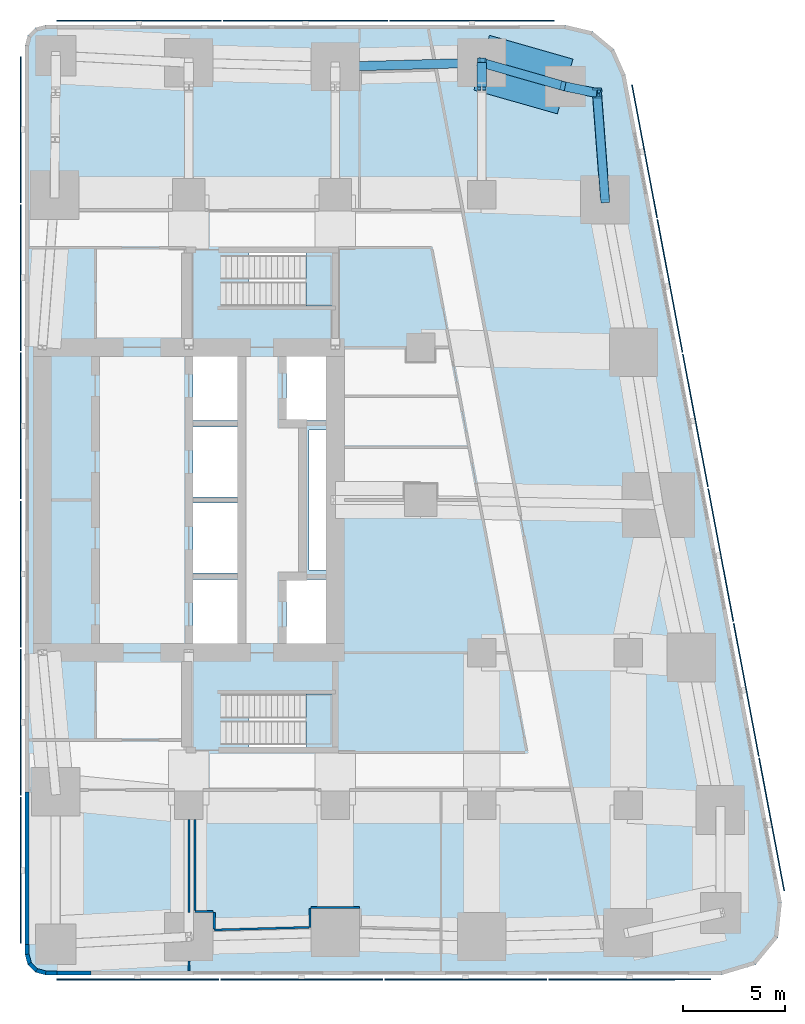
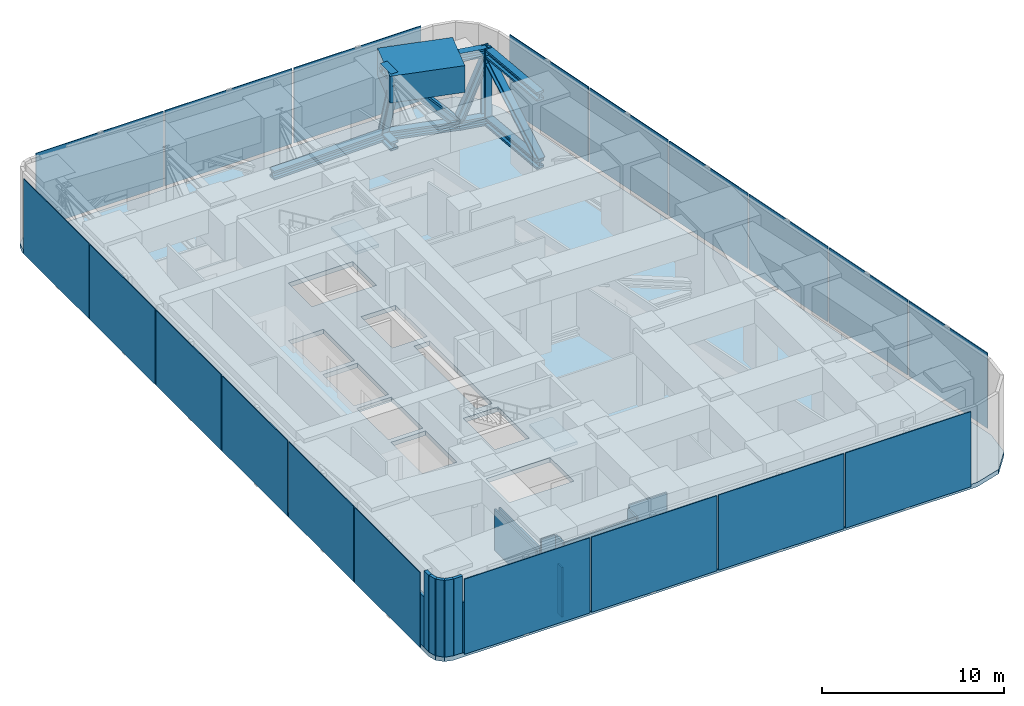
# One storey, part 3 of 9: 19 plates, 15 walls, 13 members, 3 slabs, 1 beam, 2 elements without a shape of their own.
"""IFC4 building model written with IfcOpenShell, lengths in metres."""

import ifcopenshell
import ifcopenshell.guid

model = None  # the IFC model being written
_history = None  # IfcOwnerHistory: only IFC2X3 demands one
_inside = {}  # id of a spatial element -> (the spatial element, [elements in it])
_under = {}  # id of a project, library or spatial element -> (it, [spatial elements below it])
_declared = {}  # id of a project -> (the project, [libraries it declares])
_typed = {}  # id of a type object -> (the type object, [elements of that type])
_made_of = {}  # id of a material, layer set ... -> (it, [elements and type objects made of it])


def new_model(schema):
    """Start an empty IFC model of exactly this schema.

    Asked for "IFC4X3", IfcOpenShell would pick the latest addendum, in which some entities
    have other attributes; the version numbers below select the first issue.
    IFC2X3 requires an IfcOwnerHistory on every rooted entity: one is made here for all.
    """
    global model, _history
    if schema == "IFC4X3":
        model = ifcopenshell.file(schema_version=(4, 3, 0, 0))
    else:
        model = ifcopenshell.file(schema=schema)
    _inside.clear()
    _under.clear()
    _declared.clear()
    _typed.clear()
    _made_of.clear()
    _history = None
    if model.schema == "IFC2X3":
        org = make("IfcOrganization", Name="unknown")
        user = make(
            "IfcPersonAndOrganization",
            ThePerson=make("IfcPerson", FamilyName="unknown"),
            TheOrganization=org,
        )
        app = make(
            "IfcApplication",
            ApplicationDeveloper=org,
            Version="unknown",
            ApplicationFullName="unknown",
            ApplicationIdentifier="unknown",
        )
        _history = make(
            "IfcOwnerHistory",
            OwningUser=user,
            OwningApplication=app,
            ChangeAction="ADDED",
            CreationDate=0,
        )
    return model


def make(cls, **values):
    """One entity of the class cls with the attributes given. An attribute that is None is left unset."""
    return model.create_entity(
        cls, **{name: value for name, value in values.items() if value is not None}
    )


def rooted(cls, **values):
    """An entity with a GlobalId (a new one), such as an element, a storey or a relation."""
    return make(cls, GlobalId=ifcopenshell.guid.new(), OwnerHistory=_history, **values)


def si_unit(unit_type, name, prefix=None):
    """IfcSIUnit, for example si_unit("LENGTHUNIT", "METRE", prefix="MILLI")."""
    return make("IfcSIUnit", UnitType=unit_type, Prefix=prefix, Name=name)


def assignment(units):
    """IfcUnitAssignment: the units of a project."""
    return None if units is None else make("IfcUnitAssignment", Units=units)


def point(xyz):
    """IfcCartesianPoint."""
    return None if xyz is None else make("IfcCartesianPoint", Coordinates=xyz)


def direction(xyz):
    """IfcDirection."""
    return None if xyz is None else make("IfcDirection", DirectionRatios=xyz)


def frame(location, z_axis=None, x_axis=None):
    """IfcAxis2Placement3D, a coordinate frame: its origin and axes. An axis left out is left unset."""
    return make(
        "IfcAxis2Placement3D",
        Location=point(location),
        Axis=direction(z_axis),
        RefDirection=direction(x_axis),
    )


def frame_2d(location, x_axis=None):
    """IfcAxis2Placement2D, a coordinate frame in the plane: its origin and x axis."""
    return make(
        "IfcAxis2Placement2D", Location=point(location), RefDirection=direction(x_axis)
    )


def origin():
    """The frame at (0, 0, 0) with its axes left unset."""
    return frame((0.0, 0.0, 0.0))


def origin_2d():
    """The frame at (0, 0) in the plane with its x axis left unset."""
    return frame_2d((0.0, 0.0))


def place(relative_to, where):
    """IfcLocalPlacement: puts the frame where relative to a parent placement (None: the world)."""
    return make(
        "IfcLocalPlacement", PlacementRelTo=relative_to, RelativePlacement=where
    )


def context(
    kind, dimensions, precision=None, world=None, true_north=None, identifier=None
):
    """IfcGeometricRepresentationContext, for example the 3D "Model" context."""
    return make(
        "IfcGeometricRepresentationContext",
        ContextIdentifier=identifier,
        ContextType=kind,
        CoordinateSpaceDimension=dimensions,
        Precision=precision,
        WorldCoordinateSystem=world,
        TrueNorth=true_north,
    )


def subcontext(parent, identifier, kind, view, scale=None):
    """IfcGeometricRepresentationSubContext, for example "Body" below "Model"."""
    return make(
        "IfcGeometricRepresentationSubContext",
        ContextIdentifier=identifier,
        ContextType=kind,
        ParentContext=parent,
        TargetScale=scale,
        TargetView=view,
    )


def project(units=None, contexts=None):
    """IfcProject with its units and contexts."""
    return rooted(
        "IfcProject",
        Name="project",
        RepresentationContexts=contexts,
        UnitsInContext=assignment(units),
    )


def spatial(cls, under=None, at=None, **own):
    """A site, building, storey or space (cls), placed at a placement, below another one or the project."""
    s = rooted(cls, ObjectPlacement=at, **own)
    if under is not None:
        _under.setdefault(under.id(), (under, []))[1].append(s)
    return s


def polyline(points):
    """IfcPolyline through the points."""
    return make("IfcPolyline", Points=[point(p) for p in points])


def profile(cls, at=None, kind="AREA", **sizes):
    """A parametric profile (cls). Its sizes go by their IFC names, for example OverallWidth=200.0."""
    return make(cls, ProfileType=kind, Position=at, **sizes)


def rectangle(**sizes):
    """IfcRectangleProfileDef."""
    return profile("IfcRectangleProfileDef", **sizes)


def i_section(**sizes):
    """IfcIShapeProfileDef."""
    return profile("IfcIShapeProfileDef", **sizes)


def outline(outer, holes=None, kind="AREA"):
    """IfcArbitraryClosedProfileDef: a profile drawn as a closed curve; with holes, ...WithVoids."""
    if holes is None:
        return make("IfcArbitraryClosedProfileDef", ProfileType=kind, OuterCurve=outer)
    return make(
        "IfcArbitraryProfileDefWithVoids",
        ProfileType=kind,
        OuterCurve=outer,
        InnerCurves=holes,
    )


def extrude(swept, where, along, depth):
    """IfcExtrudedAreaSolid: the profile swept, set in the frame where, extruded along a direction by depth."""
    return make(
        "IfcExtrudedAreaSolid",
        SweptArea=swept,
        Position=where,
        ExtrudedDirection=direction(along),
        Depth=depth,
    )


def shape(context_of_items, identifier, shape_type, items):
    """IfcShapeRepresentation: the items that make up one representation, for example the "Body"."""
    return make(
        "IfcShapeRepresentation",
        ContextOfItems=context_of_items,
        RepresentationIdentifier=identifier,
        RepresentationType=shape_type,
        Items=items,
    )


def material(Name=None, Category=None):
    """IfcMaterial."""
    return make("IfcMaterial", Name=Name, Category=Category)


def layer(
    of_material, thickness, ventilated=None, Name=None, Category=None, Priority=None
):
    """IfcMaterialLayer: one layer of a wall or slab, of a material (None: an air gap)."""
    return make(
        "IfcMaterialLayer",
        Material=of_material,
        LayerThickness=thickness,
        IsVentilated=ventilated,
        Name=Name,
        Category=Category,
        Priority=Priority,
    )


def layer_set(layers, Name=None):
    """IfcMaterialLayerSet."""
    return make("IfcMaterialLayerSet", MaterialLayers=layers, LayerSetName=Name)


def material_profile(
    of_material, cross_section, Name=None, Category=None, Priority=None
):
    """IfcMaterialProfile: a cross section and its material."""
    return make(
        "IfcMaterialProfile",
        Name=Name,
        Material=of_material,
        Profile=cross_section,
        Priority=Priority,
        Category=Category,
    )


def profile_set(profiles, Name=None, composite=None):
    """IfcMaterialProfileSet."""
    return make(
        "IfcMaterialProfileSet",
        Name=Name,
        MaterialProfiles=profiles,
        CompositeProfile=composite,
    )


def made_of(thing, what):
    """Note that an element or type object is made of a material, layer set ...; save() writes the relation."""
    if what is not None:
        _made_of.setdefault(what.id(), (what, []))[1].append(thing)
    return thing


def type_object(cls, material=None, **own):
    """A type object (cls), such as IfcWallType, which elements share."""
    return made_of(rooted(cls, **own), material)


def element(
    cls,
    number,
    at=None,
    inside=None,
    cuts=None,
    type_object=None,
    material=None,
    context=None,
    identifier="Body",
    shape_type=None,
    held_by="IfcProductDefinitionShape",
    body=None,
    shapes=None,
    **own,
):
    """One element of the class cls, such as IfcWall. Its Tag is "e" and its number.

    at: its placement. inside: the storey or other place that contains it. cuts: it is an
    opening in that element (IfcRelVoidsElement). A single representation is given by context,
    identifier, shape_type and body (its items); several are given by shapes. held_by: the class
    of the entity that holds the representations. save() writes the other relations.
    """
    e = rooted(cls, Tag="e%d" % number, ObjectPlacement=at, **own)
    if body is not None:
        shapes = [shape(context, identifier, shape_type, body)]
    if shapes is not None:
        e.Representation = make(held_by, Representations=shapes)
    if inside is not None:
        _inside.setdefault(inside.id(), (inside, []))[1].append(e)
    if cuts is not None:
        rooted(
            "IfcRelVoidsElement", RelatingBuildingElement=cuts, RelatedOpeningElement=e
        )
    if type_object is not None:
        _typed.setdefault(type_object.id(), (type_object, []))[1].append(e)
    return made_of(e, material)


def aggregate(whole, parts):
    """IfcRelAggregates: a whole, such as a stair, and the parts it consists of."""
    return rooted("IfcRelAggregates", RelatingObject=whole, RelatedObjects=parts)


def save(model, path):
    """Write the relations noted so far, then the file.

    IfcRelAggregates (storeys below a building ...), IfcRelContainedInSpatialStructure (elements
    in a storey), IfcRelDefinesByType, IfcRelAssociatesMaterial and IfcRelDeclares: one each for
    every whole, place, type object, material and project.
    """
    for whole, parts in _under.values():
        aggregate(whole, parts)
    for where, things in _inside.values():
        rooted(
            "IfcRelContainedInSpatialStructure",
            RelatedElements=things,
            RelatingStructure=where,
        )
    for kind, things in _typed.values():
        rooted("IfcRelDefinesByType", RelatedObjects=things, RelatingType=kind)
    for what, things in _made_of.values():
        rooted("IfcRelAssociatesMaterial", RelatedObjects=things, RelatingMaterial=what)
    for by, libraries in _declared.values():
        rooted("IfcRelDeclares", RelatingContext=by, RelatedDefinitions=libraries)
    model.write(path)


model = new_model("IFC4")

# Units and contexts
model_context = context("Model", 3, precision=1e-05, world=origin(), true_north=direction((0.0, 1.0)))
body_context = subcontext(model_context, "Body", "Model", "MODEL_VIEW")
ifc_project = project(units=[si_unit("LENGTHUNIT", "METRE"), si_unit("AREAUNIT", "SQUARE_METRE"), si_unit("VOLUMEUNIT", "CUBIC_METRE"), si_unit("PLANEANGLEUNIT", "RADIAN"), si_unit("MASSUNIT", "GRAM", prefix="KILO")], contexts=[model_context])

# Site, building, storey
site_placement = place(None, origin())
site = spatial("IfcSite", under=ifc_project, at=site_placement, CompositionType="ELEMENT")
building_placement = place(site_placement, origin())
building = spatial("IfcBuilding", under=site, at=building_placement, Name="Sheger Commons Tower", CompositionType="ELEMENT")
storey_placement = place(building_placement, frame((0.0, 0.0, 246.199951171875)))
storey = spatial("IfcBuildingStorey", under=building, at=storey_placement, Name="L63", CompositionType="ELEMENT", Elevation=246.199951171875)

# Members
ifc_material_1 = material(Name="Steel S460", Category="steel")
ifc_material_profile_1 = material_profile(ifc_material_1, i_section(OverallWidth=0.424072265625, OverallDepth=0.47412109375, WebThickness=0.047607421875, FlangeThickness=0.0771484375, at=origin_2d()), Name="HD 400x634")
ifc_profile_set_1 = profile_set([ifc_material_profile_1], Name="Steel S460")
member_type_1 = type_object("IfcMemberType", Name="BRACE HD 400x634", PredefinedType="BRACE", material=ifc_profile_set_1)
member_1_placement = place(storey_placement, frame((36.0, 44.0, 0.569091796875), z_axis=(0.0, -0.286550823558, 0.958065042426), x_axis=(1.0, 0.0, 0.0)))
element("IfcMember", 1, at=member_1_placement, inside=storey, type_object=member_type_1, Name="Truss 6 diagonal", PredefinedType="BRACE", context=body_context, shape_type="SweptSolid", body=[
    extrude(i_section(OverallWidth=0.424072265625, OverallDepth=0.47412109375, WebThickness=0.047607421875, FlangeThickness=0.0771484375, at=origin_2d()), origin(), (0.0, 0.0, 1.0), 4.1875),
])
member_2_placement = place(storey_placement, frame((42.06396484375, 37.262939453125, 0.569091796875), z_axis=(-0.06002060097, 0.792744419702, 0.606591965402), x_axis=(-0.997146078447, -0.075496345854, 0.0)))
element("IfcMember", 2, at=member_2_placement, inside=storey, type_object=member_type_1, Name="East truss diagonal", PredefinedType="BRACE", context=body_context, shape_type="SweptSolid", body=[
    extrude(i_section(OverallWidth=0.424072265625, OverallDepth=0.47412109375, WebThickness=0.047607421875, FlangeThickness=0.0771484375, at=origin_2d()), origin(), (0.0, 0.0, 1.0), 6.614013671875),
])
member_3_placement = place(storey_placement, frame((40.10205078125, 42.830078125, 0.569091796875), z_axis=(0.362376845716, -0.07501935636, 0.929007598387), x_axis=(0.202721789131, 0.979236374024, 0.0)))
element("IfcMember", 3, at=member_3_placement, inside=storey, type_object=member_type_1, Name="East truss diagonal", PredefinedType="BRACE", context=body_context, shape_type="SweptSolid", body=[
    extrude(i_section(OverallWidth=0.424072265625, OverallDepth=0.47412109375, WebThickness=0.047607421875, FlangeThickness=0.0771484375, at=origin_2d()), origin(), (0.0, 0.0, 1.0), 4.318603515625),
])
ifc_material_2 = material(Name="Steel S460", Category="steel")
ifc_material_profile_2 = material_profile(ifc_material_2, i_section(OverallWidth=0.44189453125, OverallDepth=0.531005859375, WebThickness=0.06591796875, FlangeThickness=0.10595703125, at=origin_2d()), Name="HD 400x900")
ifc_profile_set_2 = profile_set([ifc_material_profile_2], Name="Steel S460")
member_type_2 = type_object("IfcMemberType", Name="BRACE HD 400x900", PredefinedType="BRACE", material=ifc_profile_set_2)
member_4_placement = place(storey_placement, frame((40.10205078125, 42.830078125, 0.300048828125), z_axis=(-0.657710393497, 0.187581728701, 0.729541042947), x_axis=(-0.274267541221, -0.961653428129, 0.0)))
element("IfcMember", 4, at=member_4_placement, inside=storey, type_object=member_type_2, Name="Belt truss diagonal 40.102,42.830-36.000,44.000", PredefinedType="BRACE", context=body_context, shape_type="SweptSolid", body=[
    extrude(i_section(OverallWidth=0.44189453125, OverallDepth=0.531005859375, WebThickness=0.06591796875, FlangeThickness=0.10595703125, at=origin_2d()), origin(), (0.0, 0.0, 1.0), 6.23681640625),
])
ifc_material_3 = material(Name="Steel S460", Category="steel")
ifc_material_profile_3 = material_profile(ifc_material_3, i_section(OverallWidth=0.4541015625, OverallDepth=0.569091796875, WebThickness=0.077880859375, FlangeThickness=0.125, at=origin_2d()), Name="HD 400x1086")
ifc_profile_set_3 = profile_set([ifc_material_profile_3], Name="Steel S460")
member_type_3 = type_object("IfcMemberType", Name="CHORD HD 400x1086", PredefinedType="CHORD", material=ifc_profile_set_3)
member_5_placement = place(storey_placement, frame((40.10205078125, 42.830078125, 0.300048828125), z_axis=(-0.961653428129, 0.274267541221, 0.0), x_axis=(-0.274267541221, -0.961653428129, 0.0)))
element("IfcMember", 5, at=member_5_placement, inside=storey, type_object=member_type_3, Name="Belt truss bottom chord 40.102,42.830-36.000,44.000", PredefinedType="CHORD", context=body_context, shape_type="SweptSolid", body=[
    extrude(i_section(OverallWidth=0.4541015625, OverallDepth=0.569091796875, WebThickness=0.077880859375, FlangeThickness=0.125, at=origin_2d()), origin(), (0.0, 0.0, 1.0), 4.265625),
])
member_6_placement = place(storey_placement, frame((36.0, 44.0, 0.300048828125), z_axis=(-0.999614603568, -0.027760481514, 0.0), x_axis=(0.027760481514, -0.999614603568, 0.0)))
element("IfcMember", 6, at=member_6_placement, inside=storey, type_object=member_type_3, Name="Belt truss bottom chord 36.000,44.000-28.800,43.800", PredefinedType="CHORD", context=body_context, shape_type="SweptSolid", body=[
    extrude(i_section(OverallWidth=0.4541015625, OverallDepth=0.569091796875, WebThickness=0.077880859375, FlangeThickness=0.125, at=origin_2d()), origin(), (0.0, 0.0, 1.0), 7.20263671875),
])
for number, where, z_axis, x_axis, name in (
    (7, (36.0, 42.800048828125, 0.28466796875), (0.0, 1.0, 0.0), (-1.0, 0.0, 0.0), "Truss 6 bottom chord"),
    (8, (36.0, 42.800048828125, 4.865478515625), (0.0, 1.0, 0.0), (-1.0, 0.0, 0.0), "Truss 6 top chord"),
):
    element("IfcMember", number, at=place(storey_placement, frame(where, z_axis=z_axis, x_axis=x_axis)), inside=storey, type_object=member_type_3, Name=name, PredefinedType="CHORD", context=body_context, shape_type="SweptSolid", body=[
        extrude(i_section(OverallWidth=0.4541015625, OverallDepth=0.569091796875, WebThickness=0.077880859375, FlangeThickness=0.125, at=origin_2d()), origin(), (0.0, 0.0, 1.0), 1.199951171875),
    ])
member_7_placement = place(storey_placement, frame((42.06396484375, 37.262939453125, 4.865478515625), z_axis=(-0.075496345854, 0.997146078447, 0.0), x_axis=(-0.997146078447, -0.075496345854, 0.0)))
element("IfcMember", 9, at=member_7_placement, inside=storey, type_object=member_type_3, Name="East truss top chord", PredefinedType="CHORD", context=body_context, shape_type="SweptSolid", body=[
    extrude(i_section(OverallWidth=0.4541015625, OverallDepth=0.569091796875, WebThickness=0.077880859375, FlangeThickness=0.125, at=origin_2d()), origin(), (0.0, 0.0, 1.0), 5.258056640625),
])
member_8_placement = place(storey_placement, frame((41.6669921875, 42.506103515625, 4.865478515625), z_axis=(-0.979236374024, 0.202721789131, 0.0), x_axis=(-0.202721789131, -0.979236374024, 0.0)))
element("IfcMember", 10, at=member_8_placement, inside=storey, type_object=member_type_3, Name="East truss top chord", PredefinedType="CHORD", context=body_context, shape_type="SweptSolid", body=[
    extrude(i_section(OverallWidth=0.4541015625, OverallDepth=0.569091796875, WebThickness=0.077880859375, FlangeThickness=0.125, at=origin_2d()), origin(), (0.0, 0.0, 1.0), 1.59814453125),
])
member_9_placement = place(storey_placement, frame((42.06396484375, 37.262939453125, 0.28466796875), z_axis=(-0.075496345854, 0.997146078447, 0.0), x_axis=(-0.997146078447, -0.075496345854, 0.0)))
element("IfcMember", 11, at=member_9_placement, inside=storey, type_object=member_type_3, Name="East truss bottom chord", PredefinedType="CHORD", context=body_context, shape_type="SweptSolid", body=[
    extrude(i_section(OverallWidth=0.4541015625, OverallDepth=0.569091796875, WebThickness=0.077880859375, FlangeThickness=0.125, at=origin_2d()), origin(), (0.0, 0.0, 1.0), 5.258056640625),
])
member_10_placement = place(storey_placement, frame((41.6669921875, 42.506103515625, 0.28466796875), z_axis=(-0.979236374024, 0.202721789131, 0.0), x_axis=(-0.202721789131, -0.979236374024, 0.0)))
element("IfcMember", 12, at=member_10_placement, inside=storey, type_object=member_type_3, Name="East truss bottom chord", PredefinedType="CHORD", context=body_context, shape_type="SweptSolid", body=[
    extrude(i_section(OverallWidth=0.4541015625, OverallDepth=0.569091796875, WebThickness=0.077880859375, FlangeThickness=0.125, at=origin_2d()), origin(), (0.0, 0.0, 1.0), 1.59814453125),
])
ifc_material_4 = material(Name="Steel S460", Category="steel")
ifc_material_profile_4 = material_profile(ifc_material_4, i_section(OverallWidth=0.431884765625, OverallDepth=0.498046875, WebThickness=0.0556640625, FlangeThickness=0.0888671875, at=origin_2d()), Name="HD 400x744")
ifc_profile_set_4 = profile_set([ifc_material_profile_4], Name="Steel S460")
member_type_4 = type_object("IfcMemberType", Name="POST HD 400x744", PredefinedType="POST", material=ifc_profile_set_4)
member_11_placement = place(storey_placement, frame((41.6669921875, 42.506103515625, 0.569091796875), z_axis=(0.0, 0.0, 1.0), x_axis=(1.0, 0.0, 0.0)))
element("IfcMember", 13, at=member_11_placement, inside=storey, type_object=member_type_4, Name="East truss post", PredefinedType="POST", context=body_context, shape_type="SweptSolid", body=[
    extrude(i_section(OverallWidth=0.431884765625, OverallDepth=0.498046875, WebThickness=0.0556640625, FlangeThickness=0.0888671875, at=origin_2d()), origin(), (0.0, 0.0, 1.0), 4.5810546875),
])

# Beam
ifc_material_5 = material(Name="Concrete C50/60", Category="concrete")
ifc_material_profile_5 = material_profile(ifc_material_5, rectangle(XDim=2.800048828125, YDim=1.800048828125, at=origin_2d()), Name="RC 2800x1800")
ifc_profile_set_5 = profile_set([ifc_material_profile_5], Name="Concrete C50/60")
beam_type = type_object("IfcBeamType", Name="SPANDREL RC 2800x1800", PredefinedType="SPANDREL", material=ifc_profile_set_5)
beam_placement = place(storey_placement, frame((40.10205078125, 42.830078125, 4.25), z_axis=(-0.961653428129, 0.274267541221, 0.0), x_axis=(-0.274267541221, -0.961653428129, 0.0)))
element("IfcBeam", 14, at=beam_placement, inside=storey, type_object=beam_type, Name="Beam 41.490,44.505-6/G under L64", PredefinedType="SPANDREL", context=body_context, shape_type="SweptSolid", body=[
    extrude(rectangle(XDim=2.800048828125, YDim=1.800048828125, at=origin_2d()), origin(), (0.0, 0.0, 1.0), 4.265625),
])

# Slab
ifc_material_6 = material(Name="Concrete C35/45", Category="concrete")
ifc_layer_1 = layer(ifc_material_6, 0.300048828125)
ifc_layer_set_1 = layer_set([ifc_layer_1], Name="SLAB FLOOR 300")
slab_type_1 = type_object("IfcSlabType", Name="SLAB FLOOR 300", PredefinedType="FLOOR", material=ifc_layer_set_1)
slab_1_placement = place(storey_placement, frame((0.0, 0.0, -0.300048828125)))
element("IfcSlab", 15, at=slab_1_placement, inside=storey, type_object=slab_type_1, Name="L63 floor slab", PredefinedType="FLOOR", context=body_context, shape_type="SweptSolid", body=[
    extrude(outline(polyline([(13.550048828125, 0.14990234375), (13.68408203125, -0.35009765625), (14.050048828125, -0.716064453125), (14.550048828125, -0.85009765625), (47.805908203125, -0.85009765625), (49.465087890625, -0.35009765625), (50.570068359375, 0.98388671875), (50.75390625, 2.70703125), (43.06591796875, 43.406982421875), (42.509033203125, 44.660888671875), (41.452880859375, 45.535888671875), (40.117919921875, 45.85009765625), (14.550048828125, 45.85009765625), (14.050048828125, 45.716064453125), (13.68408203125, 45.35009765625), (13.550048828125, 44.85009765625), (13.550048828125, 0.14990234375)]), holes=[polyline([(24.550048828125, 10.35009765625), (28.64990234375, 10.35009765625), (28.64990234375, 12.949951171875), (24.551025390625, 12.949951171875), (24.551025390625, 11.75), (24.550048828125, 11.75), (24.550048828125, 10.35009765625)]), polyline([(24.551025390625, 32.050048828125), (28.64990234375, 32.050048828125), (28.64990234375, 34.64990234375), (24.550048828125, 34.64990234375), (24.550048828125, 33.25), (24.551025390625, 33.25), (24.551025390625, 32.050048828125)]), polyline([(26.39990234375, 15.14990234375), (28.60009765625, 15.14990234375), (28.60009765625, 18.60009765625), (26.39990234375, 18.60009765625), (26.39990234375, 15.14990234375)]), polyline([(26.39990234375, 26.39990234375), (28.60009765625, 26.39990234375), (28.60009765625, 29.85009765625), (26.39990234375, 29.85009765625), (26.39990234375, 26.39990234375)]), polyline([(21.800048828125, 15.14990234375), (24.0, 15.14990234375), (24.0, 18.60009765625), (21.800048828125, 18.60009765625), (21.800048828125, 15.14990234375)]), polyline([(21.800048828125, 18.89990234375), (24.0, 18.89990234375), (24.0, 22.35009765625), (21.800048828125, 22.35009765625), (21.800048828125, 18.89990234375)]), polyline([(21.800048828125, 22.64990234375), (24.0, 22.64990234375), (24.0, 26.10009765625), (21.800048828125, 26.10009765625), (21.800048828125, 22.64990234375)]), polyline([(21.800048828125, 26.39990234375), (24.0, 26.39990234375), (24.0, 29.85009765625), (21.800048828125, 29.85009765625), (21.800048828125, 26.39990234375)]), polyline([(27.5, 19.050048828125), (28.5, 19.050048828125), (28.5, 25.949951171875), (27.5, 25.949951171875), (27.5, 19.050048828125)])]), origin(), (0.0, 0.0, 1.0), 0.300048828125),
])

# Plates
ifc_material_7 = material(Name="Perforated black anodised aluminium screen", Category="aluminium")
ifc_layer_2 = layer(ifc_material_7, 0.050048828125)
ifc_layer_set_2 = layer_set([ifc_layer_2], Name="SOLAR SCREEN SCREEN-1")
plate_type = type_object("IfcPlateType", Name="SOLAR SCREEN SCREEN-1", PredefinedType="USERDEFINED", material=ifc_layer_set_2)
for number, where, z_axis, x_axis, name in (
    (16, (19.08203125, -1.074951171875, 0.0498046875), (0.0, 0.0, 1.0), (1.0, 0.0, 0.0), "Perforated solar screen panel"),
    (17, (27.14599609375, -1.074951171875, 0.0498046875), (0.0, 0.0, 1.0), (1.0, 0.0, 0.0), "Perforated solar screen panel"),
    (18, (35.2099609375, -1.074951171875, 0.0498046875), (0.0, 0.0, 1.0), (1.0, 0.0, 0.0), "Perforated solar screen panel"),
    (19, (43.27392578125, -1.074951171875, 0.0498046875), (0.0, 0.0, 1.0), (1.0, 0.0, 0.0), "Perforated solar screen panel"),
):
    element("IfcPlate", number, at=place(storey_placement, frame(where, z_axis=z_axis, x_axis=x_axis)), inside=storey, type_object=plate_type, Name=name, ObjectType="SCREEN", PredefinedType="USERDEFINED", context=body_context, shape_type="SweptSolid", body=[
        extrude(rectangle(XDim=7.964111328125, YDim=0.050048828125, at=origin_2d()), origin(), (0.0, 0.0, 1.0), 5.050048828125),
    ])
for number, where, z_axis, x_axis, name in (
    (20, (50.257080078125, 6.550048828125, 0.0498046875), (0.0, 0.0, 1.0), (-0.185615165645, 0.982622516678, 0.0), "Perforated solar screen panel"),
    (21, (49.007080078125, 13.1689453125, 0.0498046875), (0.0, 0.0, 1.0), (-0.185615165645, 0.982622516678, 0.0), "Perforated solar screen panel"),
    (22, (47.756103515625, 19.7890625, 0.0498046875), (0.0, 0.0, 1.0), (-0.185615165645, 0.982622516678, 0.0), "Perforated solar screen panel"),
    (23, (46.506103515625, 26.408935546875, 0.0498046875), (0.0, 0.0, 1.0), (-0.185615165645, 0.982622516678, 0.0), "Perforated solar screen panel"),
    (24, (45.2548828125, 33.028076171875, 0.0498046875), (0.0, 0.0, 1.0), (-0.185615165645, 0.982622516678, 0.0), "Perforated solar screen panel"),
    (25, (44.0048828125, 39.64794921875, 0.0498046875), (0.0, 0.0, 1.0), (-0.185615165645, 0.982622516678, 0.0), "Perforated solar screen panel"),
):
    element("IfcPlate", number, at=place(storey_placement, frame(where, z_axis=z_axis, x_axis=x_axis)), inside=storey, type_object=plate_type, Name=name, ObjectType="SCREEN", PredefinedType="USERDEFINED", context=body_context, shape_type="SweptSolid", body=[
        extrude(rectangle(XDim=6.636962890625, YDim=0.050048828125, at=origin_2d()), origin(), (0.0, 0.0, 1.0), 5.050048828125),
    ])
for number, where, z_axis, x_axis, name in (
    (26, (35.52294921875, 46.074951171875, 0.0498046875), (0.0, 0.0, 1.0), (-1.0, 0.0, 0.0), "Perforated solar screen panel"),
    (27, (27.333984375, 46.074951171875, 0.0498046875), (0.0, 0.0, 1.0), (-1.0, 0.0, 0.0), "Perforated solar screen panel"),
    (28, (19.14501953125, 46.074951171875, 0.0498046875), (0.0, 0.0, 1.0), (-1.0, 0.0, 0.0), "Perforated solar screen panel"),
):
    element("IfcPlate", number, at=place(storey_placement, frame(where, z_axis=z_axis, x_axis=x_axis)), inside=storey, type_object=plate_type, Name=name, ObjectType="SCREEN", PredefinedType="USERDEFINED", context=body_context, shape_type="SweptSolid", body=[
        extrude(rectangle(XDim=8.089111328125, YDim=0.050048828125, at=origin_2d()), origin(), (0.0, 0.0, 1.0), 5.050048828125),
    ])
for number, where, z_axis, x_axis, name in (
    (29, (13.324951171875, 40.7080078125, 0.0498046875), (0.0, 0.0, 1.0), (0.0, -1.0, 0.0), "Perforated solar screen panel"),
    (30, (13.324951171875, 33.425048828125, 0.0498046875), (0.0, 0.0, 1.0), (0.0, -1.0, 0.0), "Perforated solar screen panel"),
    (31, (13.324951171875, 26.14208984375, 0.0498046875), (0.0, 0.0, 1.0), (0.0, -1.0, 0.0), "Perforated solar screen panel"),
    (32, (13.324951171875, 18.85791015625, 0.0498046875), (0.0, 0.0, 1.0), (0.0, -1.0, 0.0), "Perforated solar screen panel"),
    (33, (13.324951171875, 11.574951171875, 0.0498046875), (0.0, 0.0, 1.0), (0.0, -1.0, 0.0), "Perforated solar screen panel"),
    (34, (13.324951171875, 4.2919921875, 0.0498046875), (0.0, 0.0, 1.0), (0.0, -1.0, 0.0), "Perforated solar screen panel"),
):
    element("IfcPlate", number, at=place(storey_placement, frame(where, z_axis=z_axis, x_axis=x_axis)), inside=storey, type_object=plate_type, Name=name, ObjectType="SCREEN", PredefinedType="USERDEFINED", context=body_context, shape_type="SweptSolid", body=[
        extrude(rectangle(XDim=7.18310546875, YDim=0.050048828125, at=origin_2d()), origin(), (0.0, 0.0, 1.0), 5.050048828125),
    ])

# Stair, slab
ifc_material_8 = material(Name="Concrete C35/45", Category="concrete")
stair_type = type_object("IfcStairType", Name="HALF-TURN STAIR 1200 RISE 5400", PredefinedType="HALF_TURN_STAIR", material=ifc_material_8)
stair_1_placement = place(storey_placement, origin())
stair_1 = element("IfcStair", 35, at=stair_1_placement, inside=storey, type_object=stair_type, Name="Stair S1 L63", PredefinedType="HALF_TURN_STAIR")
ifc_material_9 = material(Name="Concrete C35/45", Category="concrete")
ifc_layer_3 = layer(ifc_material_9, 0.199951171875)
ifc_layer_set_3 = layer_set([ifc_layer_3], Name="STAIR LANDING 200")
slab_type_2 = type_object("IfcSlabType", Name="STAIR LANDING 200", PredefinedType="LANDING", material=ifc_layer_set_3)
slab_2_placement = place(storey_placement, frame((0.0, 0.0, 2.5)))
slab_2 = element("IfcSlab", 36, at=slab_2_placement, type_object=slab_type_2, Name="S1 landing 1", PredefinedType="LANDING", context=body_context, shape_type="SweptSolid", body=[
    extrude(outline(polyline([(27.35009765625, 10.199951171875), (28.800048828125, 10.199951171875), (28.800048828125, 12.949951171875), (27.35009765625, 12.949951171875), (27.35009765625, 10.199951171875)])), origin(), (0.0, 0.0, 1.0), 0.199951171875),
])
aggregate(stair_1, [slab_2])

stair_2_placement = place(storey_placement, origin())
stair_2 = element("IfcStair", 37, at=stair_2_placement, inside=storey, type_object=stair_type, Name="Stair S2 L63", PredefinedType="HALF_TURN_STAIR")
slab_3_placement = place(storey_placement, frame((0.0, 0.0, 2.5)))
slab_3 = element("IfcSlab", 38, at=slab_3_placement, type_object=slab_type_2, Name="S2 landing 1", PredefinedType="LANDING", context=body_context, shape_type="SweptSolid", body=[
    extrude(outline(polyline([(27.35009765625, 32.050048828125), (28.800048828125, 32.050048828125), (28.800048828125, 34.800048828125), (27.35009765625, 34.800048828125), (27.35009765625, 32.050048828125)])), origin(), (0.0, 0.0, 1.0), 0.199951171875),
])
aggregate(stair_2, [slab_3])

# Walls
ifc_material_10 = material(Name="Rendered concrete block masonry, dark grey", Category="masonry")
ifc_layer_4 = layer(ifc_material_10, 0.199951171875)
ifc_layer_set_4 = layer_set([ifc_layer_4], Name="FACADE WALL 200")
wall_type_1 = type_object("IfcWallType", Name="FACADE WALL 200", PredefinedType="SOLIDWALL", material=ifc_layer_set_4)
wall_1_placement = place(storey_placement, frame((14.56298828125, -0.75, 0.0), z_axis=(0.0, 0.0, 1.0), x_axis=(1.0, 0.0, 0.0)))
element("IfcWall", 39, at=wall_1_placement, inside=storey, type_object=wall_type_1, Name="Facade wall L63", PredefinedType="SOLIDWALL", context=body_context, shape_type="SweptSolid", body=[
    extrude(rectangle(XDim=0.56494140625, YDim=0.199951171875, at=frame_2d((0.282470703125, 0.0))), origin(), (0.0, 0.0, 1.0), 5.150146484375),
])
wall_2_placement = place(storey_placement, frame((15.1279296875, -0.75, 0.0), z_axis=(0.0, 0.0, 1.0), x_axis=(1.0, 0.0, 0.0)))
element("IfcWall", 40, at=wall_2_placement, inside=storey, type_object=wall_type_1, Name="Facade wall L63", PredefinedType="SOLIDWALL", context=body_context, shape_type="SweptSolid", body=[
    extrude(rectangle(XDim=1.6591796875, YDim=0.199951171875, at=frame_2d((0.82958984375, 0.0))), origin(), (0.0, 0.0, 1.0), 3.35009765625),
])
wall_3_placement = place(storey_placement, frame((13.64990234375, 8.154052734375, 0.0), z_axis=(0.0, 0.0, 1.0), x_axis=(0.0, -1.0, 0.0)))
element("IfcWall", 41, at=wall_3_placement, inside=storey, type_object=wall_type_1, Name="Facade wall L63", PredefinedType="SOLIDWALL", context=body_context, shape_type="SweptSolid", body=[
    extrude(rectangle(XDim=7.5, YDim=0.199951171875, at=frame_2d((3.75, 0.0))), origin(), (0.0, 0.0, 1.0), 3.35009765625),
])
wall_4_placement = place(storey_placement, frame((13.64990234375, 0.654052734375, 0.0), z_axis=(0.0, 0.0, 1.0), x_axis=(0.0, -1.0, 0.0)))
element("IfcWall", 42, at=wall_4_placement, inside=storey, type_object=wall_type_1, Name="Facade wall L63", PredefinedType="SOLIDWALL", context=body_context, shape_type="SweptSolid", body=[
    extrude(rectangle(XDim=0.490966796875, YDim=0.199951171875, at=frame_2d((0.24560546875, 0.0))), origin(), (0.0, 0.0, 1.0), 5.150146484375),
])
wall_5_placement = place(storey_placement, frame((13.64990234375, 0.1630859375, 0.0), z_axis=(0.0, 0.0, 1.0), x_axis=(0.259698463175, -0.965689757751, 0.0)))
element("IfcWall", 43, at=wall_5_placement, inside=storey, type_object=wall_type_1, Name="Facade wall L63", PredefinedType="SOLIDWALL", context=body_context, shape_type="SweptSolid", body=[
    extrude(rectangle(XDim=0.4775390625, YDim=0.199951171875, at=frame_2d((0.23876953125, 0.0))), origin(), (0.0, 0.0, 1.0), 5.150146484375),
])
wall_6_placement = place(storey_placement, frame((13.77392578125, -0.298095703125, 0.0), z_axis=(0.0, 0.0, 1.0), x_axis=(0.707369890659, -0.706843573776, 0.0)))
element("IfcWall", 44, at=wall_6_placement, inside=storey, type_object=wall_type_1, Name="Facade wall L63", PredefinedType="SOLIDWALL", context=body_context, shape_type="SweptSolid", body=[
    extrude(rectangle(XDim=0.4638671875, YDim=0.199951171875, at=frame_2d((0.23193359375, 0.0))), origin(), (0.0, 0.0, 1.0), 5.150146484375),
])
wall_7_placement = place(storey_placement, frame((14.10205078125, -0.6259765625, 0.0), z_axis=(0.0, 0.0, 1.0), x_axis=(0.965655254015, -0.259826731483, 0.0)))
element("IfcWall", 45, at=wall_7_placement, inside=storey, type_object=wall_type_1, Name="Facade wall L63", PredefinedType="SOLIDWALL", context=body_context, shape_type="SweptSolid", body=[
    extrude(rectangle(XDim=0.477294921875, YDim=0.199951171875, at=frame_2d((0.23876953125, 0.0))), origin(), (0.0, 0.0, 1.0), 5.150146484375),
])
ifc_material_11 = material(Name="Gypsum board on steel studs", Category="steel")
ifc_layer_5 = layer(ifc_material_11, 0.10009765625)
ifc_layer_set_5 = layer_set([ifc_layer_5], Name="PARTITION 100")
wall_type_2 = type_object("IfcWallType", Name="PARTITION 100", PredefinedType="PARTITIONING", material=ifc_layer_set_5)
wall_8_placement = place(storey_placement, frame((21.60009765625, -0.64990234375, 0.0), z_axis=(0.0, 0.0, 1.0), x_axis=(0.0, 1.0, 0.0)))
element("IfcWall", 46, at=wall_8_placement, inside=storey, type_object=wall_type_2, Name="Partition L63", PredefinedType="PARTITIONING", context=body_context, shape_type="SweptSolid", body=[
    extrude(rectangle(XDim=0.473876953125, YDim=0.10009765625, at=frame_2d((0.23681640625, 0.0))), origin(), (0.0, 0.0, 1.0), 3.35009765625),
])
wall_9_placement = place(storey_placement, frame((21.60009765625, 2.22607421875, 0.0), z_axis=(0.0, 0.0, 1.0), x_axis=(0.0, 1.0, 0.0)))
element("IfcWall", 47, at=wall_9_placement, inside=storey, type_object=wall_type_2, Name="Partition L63", PredefinedType="PARTITIONING", context=body_context, shape_type="SweptSolid", body=[
    extrude(rectangle(XDim=4.572998046875, YDim=0.10009765625, at=frame_2d((2.28662109375, 0.0))), origin(), (0.0, 0.0, 1.0), 2.75),
])
wall_10_placement = place(storey_placement, frame((30.0, 2.47509765625, 0.0), z_axis=(0.0, 0.0, 1.0), x_axis=(-1.0, 0.0, 0.0)))
element("IfcWall", 48, at=wall_10_placement, inside=storey, type_object=wall_type_2, Name="Partition L63", PredefinedType="PARTITIONING", context=body_context, shape_type="SweptSolid", body=[
    extrude(rectangle(XDim=2.39990234375, YDim=0.10009765625, at=frame_2d((1.199951171875, 0.0))), origin(), (0.0, 0.0, 1.0), 3.550048828125),
])
wall_11_placement = place(storey_placement, frame((27.550048828125, 2.425048828125, 0.0), z_axis=(0.0, 0.0, 1.0), x_axis=(0.0, -1.0, 0.0)))
element("IfcWall", 49, at=wall_11_placement, inside=storey, type_object=wall_type_2, Name="Partition L63", PredefinedType="PARTITIONING", context=body_context, shape_type="SweptSolid", body=[
    extrude(rectangle(XDim=0.93505859375, YDim=0.10009765625, at=frame_2d((0.467529296875, 0.0))), origin(), (0.0, 0.0, 1.0), 3.35009765625),
])
wall_12_placement = place(storey_placement, frame((27.5, 1.489013671875, 0.0), z_axis=(0.0, 0.0, 1.0), x_axis=(-0.999615956825, -0.027711709819, 0.0)))
element("IfcWall", 50, at=wall_12_placement, inside=storey, type_object=wall_type_2, Name="Partition L63", PredefinedType="PARTITIONING", context=body_context, shape_type="SweptSolid", body=[
    extrude(rectangle(XDim=4.651611328125, YDim=0.10009765625, at=frame_2d((2.32568359375, 0.0))), origin(), (0.0, 0.0, 1.0), 3.35009765625),
])
wall_13_placement = place(storey_placement, frame((22.85009765625, 1.410888671875, 0.0), z_axis=(0.0, 0.0, 1.0), x_axis=(0.0, 1.0, 0.0)))
element("IfcWall", 51, at=wall_13_placement, inside=storey, type_object=wall_type_2, Name="Partition L63", PredefinedType="PARTITIONING", context=body_context, shape_type="SweptSolid", body=[
    extrude(rectangle(XDim=0.814208984375, YDim=0.10009765625, at=frame_2d((0.4072265625, 0.0))), origin(), (0.0, 0.0, 1.0), 3.35009765625),
])
wall_14_placement = place(storey_placement, frame((22.800048828125, 2.27490234375, 0.0), z_axis=(0.0, 0.0, 1.0), x_axis=(-1.0, 0.0, 0.0)))
element("IfcWall", 52, at=wall_14_placement, inside=storey, type_object=wall_type_2, Name="Partition L63", PredefinedType="PARTITIONING", context=body_context, shape_type="SweptSolid", body=[
    extrude(rectangle(XDim=0.900146484375, YDim=0.10009765625, at=frame_2d((0.4501953125, 0.0))), origin(), (0.0, 0.0, 1.0), 3.35009765625),
])
wall_15_placement = place(storey_placement, frame((21.89990234375, 2.324951171875, 0.0), z_axis=(0.0, 0.0, 1.0), x_axis=(0.0, 1.0, 0.0)))
element("IfcWall", 53, at=wall_15_placement, inside=storey, type_object=wall_type_2, Name="Partition L63", PredefinedType="PARTITIONING", context=body_context, shape_type="SweptSolid", body=[
    extrude(rectangle(XDim=4.47412109375, YDim=0.10009765625, at=frame_2d((2.237060546875, 0.0))), origin(), (0.0, 0.0, 1.0), 2.75),
])

save(model, "model.ifc")
